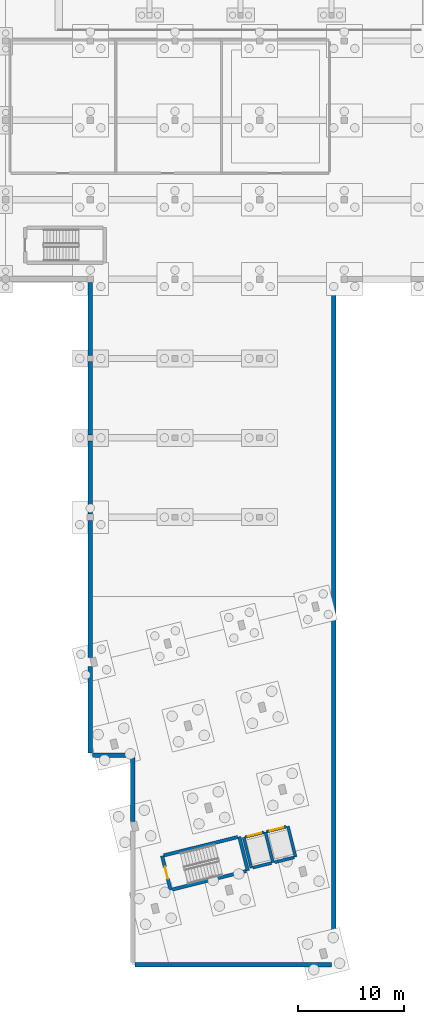
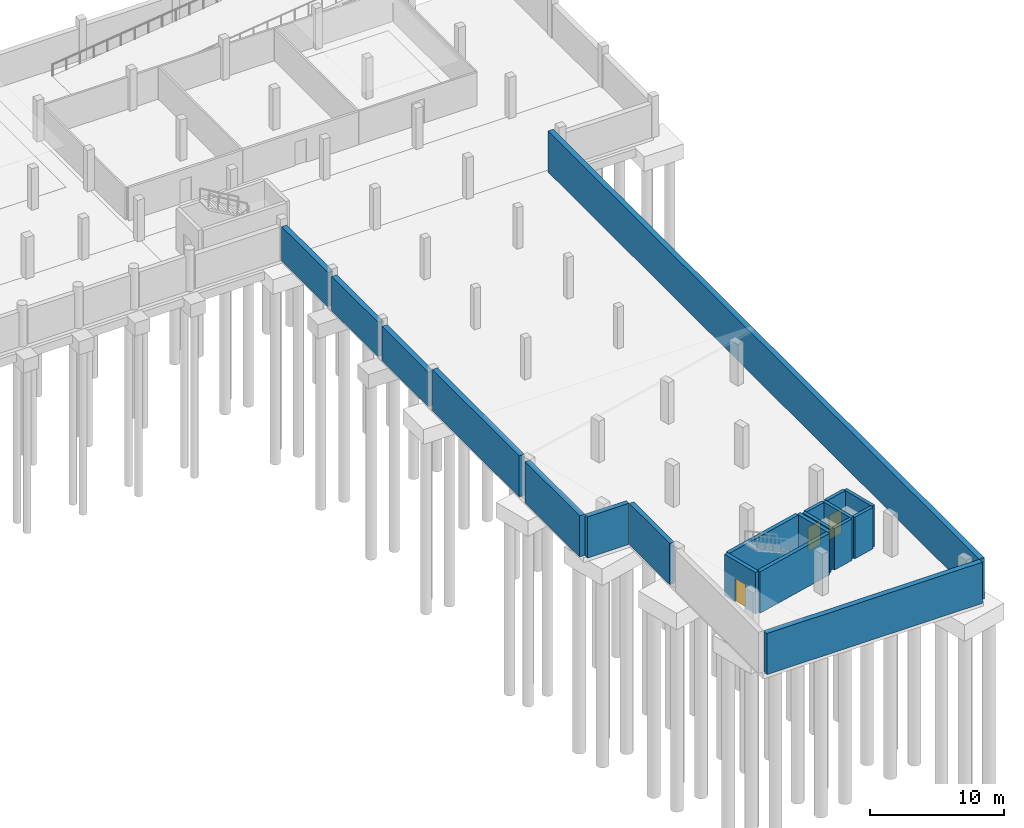
# One storey, part 6 of 17: 20 walls, 3 doors, 3 openings.
"""IFC4 building model written with IfcOpenShell, lengths in metres."""

from ifc_helpers import new_model, si_unit, direction, frame, frame_2d, origin, place, context, subcontext, project, spatial, rectangle, extrude, material, layer, layer_set, type_object, element, fill, save


model = new_model("IFC4")

# Units and contexts
model_context = context("Model", 3, precision=1e-05, world=origin(), true_north=direction((0.0, 1.0)))
body_context = subcontext(model_context, "Body", "Model", "MODEL_VIEW")
ifc_project = project(units=[si_unit("LENGTHUNIT", "METRE"), si_unit("AREAUNIT", "SQUARE_METRE"), si_unit("VOLUMEUNIT", "CUBIC_METRE"), si_unit("PLANEANGLEUNIT", "RADIAN"), si_unit("MASSUNIT", "GRAM", prefix="KILO")], contexts=[model_context])

# Site, building, storey
site_placement = place(None, origin())
site = spatial("IfcSite", under=ifc_project, at=site_placement, CompositionType="ELEMENT")
building_placement = place(site_placement, origin())
building = spatial("IfcBuilding", under=site, at=building_placement, Name="Mawjan Specialist Oncology Clinic", CompositionType="ELEMENT")
storey_placement = place(building_placement, frame((0.0, 0.0, -4.199951171875)))
storey = spatial("IfcBuildingStorey", under=building, at=storey_placement, Name="B01", CompositionType="ELEMENT", Elevation=-4.199951171875)

# Walls
ifc_material_1 = material(Name="Concrete C40/50", Category="concrete")
ifc_layer_1 = layer(ifc_material_1, 0.39990234375, Name="Concrete C40/50", Category="concrete")
ifc_layer_set_1 = layer_set([ifc_layer_1], Name="Concrete C40/50")
wall_type_1 = type_object("IfcWallType", Name="RW-400", PredefinedType="USERDEFINED", material=ifc_layer_set_1)
wall_1_placement = place(storey_placement, frame((120.0, 24.547119140625, 0.0), z_axis=(0.0, 0.0, 1.0), x_axis=(0.0, 1.0, 0.0)))
element("IfcWall", 1, at=wall_1_placement, inside=storey, type_object=wall_type_1, Name="B01 Perimeter Retaining Wall 2", ObjectType="RETAININGWALL", PredefinedType="USERDEFINED", context=body_context, shape_type="SweptSolid", body=[
    extrude(rectangle(XDim=6.032958984375, YDim=0.39990234375, at=frame_2d((3.0166015625, 0.0))), origin(), (0.0, 0.0, 1.0), 3.75),
])
wall_2_placement = place(storey_placement, frame((119.780029296875, 30.800048828125, 0.0), z_axis=(0.0, 0.0, 1.0), x_axis=(-1.0, 0.0, 0.0)))
element("IfcWall", 2, at=wall_2_placement, inside=storey, type_object=wall_type_1, Name="B01 Perimeter Retaining Wall 3", ObjectType="RETAININGWALL", PredefinedType="USERDEFINED", context=body_context, shape_type="SweptSolid", body=[
    extrude(rectangle(XDim=3.56005859375, YDim=0.39990234375, at=frame_2d((1.780029296875, 0.0))), origin(), (0.0, 0.0, 1.0), 3.75),
])
ifc_material_2 = material(Name="Concrete C40/50", Category="concrete")
ifc_layer_2 = layer(ifc_material_2, 0.449951171875, Name="Concrete C40/50", Category="concrete")
ifc_layer_set_2 = layer_set([ifc_layer_2], Name="Concrete C40/50")
wall_type_2 = type_object("IfcWallType", Name="RW-450", PredefinedType="USERDEFINED", material=ifc_layer_set_2)
wall_3_placement = place(storey_placement, frame((116.0, 31.02001953125, 0.0), z_axis=(0.0, 0.0, 1.0), x_axis=(0.0, 1.0, 0.0)))
element("IfcWall", 3, at=wall_3_placement, inside=storey, type_object=wall_type_2, Name="B01 Perimeter Retaining Wall 4", ObjectType="RETAININGWALL", PredefinedType="USERDEFINED", context=body_context, shape_type="SweptSolid", body=[
    extrude(rectangle(XDim=8.15673828125, YDim=0.449951171875, at=frame_2d((4.078369140625, 0.0))), origin(), (0.0, 0.0, 1.0), 3.75),
])
wall_4_placement = place(storey_placement, frame((116.0, 40.046875, 0.0), z_axis=(0.0, 0.0, 1.0), x_axis=(0.0, 1.0, 0.0)))
element("IfcWall", 4, at=wall_4_placement, inside=storey, type_object=wall_type_2, Name="B01 Perimeter Retaining Wall 5", ObjectType="RETAININGWALL", PredefinedType="USERDEFINED", context=body_context, shape_type="SweptSolid", body=[
    extrude(rectangle(XDim=12.943115234375, YDim=0.449951171875, at=frame_2d((6.4716796875, 0.0))), origin(), (0.0, 0.0, 1.0), 3.75),
])
wall_5_placement = place(storey_placement, frame((116.0, 53.610107421875, 0.0), z_axis=(0.0, 0.0, 1.0), x_axis=(0.0, 1.0, 0.0)))
element("IfcWall", 5, at=wall_5_placement, inside=storey, type_object=wall_type_2, Name="B01 Perimeter Retaining Wall 6", ObjectType="RETAININGWALL", PredefinedType="USERDEFINED", context=body_context, shape_type="SweptSolid", body=[
    extrude(rectangle(XDim=6.90478515625, YDim=0.449951171875, at=frame_2d((3.452392578125, 0.0))), origin(), (0.0, 0.0, 1.0), 3.1298828125),
])
wall_6_placement = place(storey_placement, frame((116.0, 61.0849609375, 0.0), z_axis=(0.0, 0.0, 1.0), x_axis=(0.0, 1.0, 0.0)))
element("IfcWall", 6, at=wall_6_placement, inside=storey, type_object=wall_type_2, Name="B01 Perimeter Retaining Wall 7", ObjectType="RETAININGWALL", PredefinedType="USERDEFINED", context=body_context, shape_type="SweptSolid", body=[
    extrude(rectangle(XDim=6.929931640625, YDim=0.449951171875, at=frame_2d((3.46484375, 0.0))), origin(), (0.0, 0.0, 1.0), 3.1298828125),
])
wall_7_placement = place(storey_placement, frame((116.0, 68.5849609375, 0.0), z_axis=(0.0, 0.0, 1.0), x_axis=(0.0, 1.0, 0.0)))
element("IfcWall", 7, at=wall_7_placement, inside=storey, type_object=wall_type_2, Name="B01 Perimeter Retaining Wall 8", ObjectType="RETAININGWALL", PredefinedType="USERDEFINED", context=body_context, shape_type="SweptSolid", body=[
    extrude(rectangle(XDim=6.905029296875, YDim=0.449951171875, at=frame_2d((3.45263671875, 0.0))), origin(), (0.0, 0.0, 1.0), 3.1298828125),
])
wall_8_placement = place(storey_placement, frame((139.0, 75.580078125, 0.0), z_axis=(0.0, 0.0, 1.0), x_axis=(0.0, -1.0, 0.0)))
element("IfcWall", 8, at=wall_8_placement, inside=storey, type_object=wall_type_2, Name="B01 Perimeter Retaining Wall 54", ObjectType="RETAININGWALL", PredefinedType="USERDEFINED", context=body_context, shape_type="SweptSolid", body=[
    extrude(rectangle(XDim=64.360107421875, YDim=0.449951171875, at=frame_2d((32.18017578125, 0.0))), origin(), (0.0, 0.0, 1.0), 3.75),
])
wall_9_placement = place(storey_placement, frame((138.780029296875, 11.0, 0.0), z_axis=(0.0, 0.0, 1.0), x_axis=(-1.0, 0.0, 0.0)))
element("IfcWall", 9, at=wall_9_placement, inside=storey, type_object=wall_type_2, Name="B01 Perimeter Retaining Wall 55", ObjectType="RETAININGWALL", PredefinedType="USERDEFINED", context=body_context, shape_type="SweptSolid", body=[
    extrude(rectangle(XDim=18.56005859375, YDim=0.449951171875, at=frame_2d((9.280029296875, 0.0))), origin(), (0.0, 0.0, 1.0), 3.75),
])
ifc_material_3 = material(Name="Concrete C45/55", Category="concrete")
ifc_layer_3 = layer(ifc_material_3, 0.280029296875, Name="Concrete C45/55", Category="concrete")
ifc_layer_set_3 = layer_set([ifc_layer_3], Name="Concrete C45/55")
wall_type_3 = type_object("IfcWallType", Name="SW-300", PredefinedType="SHEAR", material=ifc_layer_set_3)
wall_10_placement = place(storey_placement, frame((131.36328125, 20.17578125, 0.0), z_axis=(0.0, 0.0, 1.0), x_axis=(0.970284587517, 0.241966566341, 0.0)))
element("IfcWall", 10, at=wall_10_placement, inside=storey, type_object=wall_type_3, Name="B01 LF-01 Hoistway Wall 1", PredefinedType="SHEAR", context=body_context, shape_type="SweptSolid", body=[
    extrude(rectangle(XDim=1.817138671875, YDim=0.280029296875, at=frame_2d((0.90869140625, 0.0))), origin(), (0.0, 0.0, 1.0), 3.780029296875),
])
wall_11_placement = place(storey_placement, frame((133.26708984375, 20.650634765625, 0.0), z_axis=(0.0, 0.0, 1.0), x_axis=(-0.241921647353, 0.970295788171, 0.0)))
element("IfcWall", 11, at=wall_11_placement, inside=storey, type_object=wall_type_3, Name="B01 LF-01 Hoistway Wall 2", PredefinedType="SHEAR", context=body_context, shape_type="SweptSolid", body=[
    extrude(rectangle(XDim=2.994140625, YDim=0.280029296875, at=frame_2d((1.4970703125, 0.0))), origin(), (0.0, 0.0, 1.0), 3.780029296875),
])

# Wall, opening, door
wall_12_placement = place(storey_placement, frame((132.402099609375, 23.52099609375, 0.0), z_axis=(0.0, 0.0, 1.0), x_axis=(-0.970284587517, -0.241966566341, 0.0)))
wall_12 = element("IfcWall", 12, at=wall_12_placement, inside=storey, type_object=wall_type_3, Name="B01 LF-01 Hoistway Wall 3", PredefinedType="SHEAR", context=body_context, shape_type="SweptSolid", body=[
    extrude(rectangle(XDim=1.817138671875, YDim=0.280029296875, at=frame_2d((0.90869140625, 0.0))), origin(), (0.0, 0.0, 1.0), 3.780029296875),
])
opening_1_placement = place(wall_12_placement, frame((0.258544921875, 0.0, 0.0)))
opening_1 = element("IfcOpeningElement", 13, at=opening_1_placement, cuts=wall_12, Name="Opening LD-01-B01", PredefinedType="OPENING", context=body_context, shape_type="SweptSolid", body=[
    extrude(rectangle(XDim=1.300048828125, YDim=2.199951171875, at=frame_2d((0.64990234375, 1.10009765625))), frame((0.0, 0.152099609375, 0.0), z_axis=(0.0, -1.0, 0.0), x_axis=(1.0, 0.0, 0.0)), (0.0, 0.0, 1.0), 0.303955078125),
])
ifc_material_4 = material(Name="Stainless-steel fire-rated hospital door", Category="steel")
door_type_1 = type_object("IfcDoorType", Name="LD-130", OperationType="SLIDING_TO_LEFT", PredefinedType="DOOR", material=ifc_material_4)
door_1_placement = place(opening_1_placement, origin())
door_1 = element("IfcDoor", 14, at=door_1_placement, inside=storey, type_object=door_type_1, Name="B01 LF-01 Sliding Lift Landing Door", OperationType="SLIDING_TO_LEFT", OverallHeight=2.199951171875, OverallWidth=1.300048828125, PredefinedType="DOOR", context=body_context, shape_type="SweptSolid", body=[
    extrude(rectangle(XDim=1.300048828125, YDim=2.199951171875, at=frame_2d((0.64990234375, 1.10009765625))), frame((0.0, 0.02490234375, 0.0), z_axis=(0.0, -1.0, 0.0), x_axis=(1.0, 0.0, 0.0)), (0.0, 0.0, 1.0), 0.050048828125),
])
fill(opening_1, door_1)

# Walls
wall_13_placement = place(storey_placement, frame((130.498291015625, 23.046142578125, 0.0), z_axis=(0.0, 0.0, 1.0), x_axis=(0.241921647353, -0.970295788171, 0.0)))
element("IfcWall", 15, at=wall_13_placement, inside=storey, type_object=wall_type_3, Name="B01 LF-01 Hoistway Wall 4", PredefinedType="SHEAR", context=body_context, shape_type="SweptSolid", body=[
    extrude(rectangle(XDim=2.994140625, YDim=0.280029296875, at=frame_2d((1.4970703125, 0.0))), origin(), (0.0, 0.0, 1.0), 3.780029296875),
])
wall_14_placement = place(storey_placement, frame((133.407958984375, 20.685546875, 0.0), z_axis=(0.0, 0.0, 1.0), x_axis=(0.970285190026, 0.241964150272, 0.0)))
element("IfcWall", 16, at=wall_14_placement, inside=storey, type_object=wall_type_3, Name="B01 LF-02 Hoistway Wall 1", PredefinedType="SHEAR", context=body_context, shape_type="SweptSolid", body=[
    extrude(rectangle(XDim=1.909912109375, YDim=0.280029296875, at=frame_2d((0.955078125, 0.0))), origin(), (0.0, 0.0, 1.0), 3.780029296875),
])
wall_15_placement = place(storey_placement, frame((135.40185546875, 21.182861328125, 0.0), z_axis=(0.0, 0.0, 1.0), x_axis=(-0.241921647353, 0.970295788171, 0.0)))
element("IfcWall", 17, at=wall_15_placement, inside=storey, type_object=wall_type_3, Name="B01 LF-02 Hoistway Wall 2", PredefinedType="SHEAR", context=body_context, shape_type="SweptSolid", body=[
    extrude(rectangle(XDim=2.994140625, YDim=0.280029296875, at=frame_2d((1.4970703125, 0.0))), origin(), (0.0, 0.0, 1.0), 3.780029296875),
])

# Wall, opening, door
wall_16_placement = place(storey_placement, frame((134.53662109375, 24.05322265625, 0.0), z_axis=(0.0, 0.0, 1.0), x_axis=(-0.970285190026, -0.241964150272, 0.0)))
wall_16 = element("IfcWall", 18, at=wall_16_placement, inside=storey, type_object=wall_type_3, Name="B01 LF-02 Hoistway Wall 3", PredefinedType="SHEAR", context=body_context, shape_type="SweptSolid", body=[
    extrude(rectangle(XDim=1.909912109375, YDim=0.280029296875, at=frame_2d((0.955078125, 0.0))), origin(), (0.0, 0.0, 1.0), 3.780029296875),
])
opening_2_placement = place(wall_16_placement, frame((0.304931640625, 0.0, 0.0)))
opening_2 = element("IfcOpeningElement", 19, at=opening_2_placement, cuts=wall_16, Name="Opening LD-02-B01", PredefinedType="OPENING", context=body_context, shape_type="SweptSolid", body=[
    extrude(rectangle(XDim=1.300048828125, YDim=2.199951171875, at=frame_2d((0.64990234375, 1.10009765625))), frame((0.0, 0.152099609375, 0.0), z_axis=(0.0, -1.0, 0.0), x_axis=(1.0, 0.0, 0.0)), (0.0, 0.0, 1.0), 0.303955078125),
])
door_2_placement = place(opening_2_placement, origin())
door_2 = element("IfcDoor", 20, at=door_2_placement, inside=storey, type_object=door_type_1, Name="B01 LF-02 Sliding Lift Landing Door", OperationType="SLIDING_TO_RIGHT", OverallHeight=2.199951171875, OverallWidth=1.300048828125, PredefinedType="DOOR", context=body_context, shape_type="SweptSolid", body=[
    extrude(rectangle(XDim=1.300048828125, YDim=2.199951171875, at=frame_2d((0.64990234375, 1.10009765625))), frame((0.0, 0.02490234375, 0.0), z_axis=(0.0, -1.0, 0.0), x_axis=(1.0, 0.0, 0.0)), (0.0, 0.0, 1.0), 0.050048828125),
])
fill(opening_2, door_2)

# Walls
ifc_material_5 = material(Name="Concrete C45/55", Category="concrete")
ifc_layer_4 = layer(ifc_material_5, 0.320068359375, Name="Concrete C45/55", Category="concrete")
ifc_layer_set_4 = layer_set([ifc_layer_4], Name="Concrete C45/55")
wall_type_4 = type_object("IfcWallType", Name="SW-350", PredefinedType="SHEAR", material=ifc_layer_set_4)
wall_17_placement = place(storey_placement, frame((123.75048828125, 18.10986328125, 0.0), z_axis=(0.0, 0.0, 1.0), x_axis=(0.970294108333, 0.241928384724, 0.0)))
element("IfcWall", 21, at=wall_17_placement, inside=storey, type_object=wall_type_4, Name="B01 Core K5 Stair Shear Wall 1", PredefinedType="SHEAR", context=body_context, shape_type="SweptSolid", body=[
    extrude(rectangle(XDim=7.190185546875, YDim=0.320068359375, at=frame_2d((3.59521484375, 0.0))), origin(), (0.0, 0.0, 1.0), 3.780029296875),
])
wall_18_placement = place(storey_placement, frame((130.886962890625, 19.889404296875, 0.0), z_axis=(0.0, 0.0, 1.0), x_axis=(-0.241947258837, 0.970289402158, 0.0)))
element("IfcWall", 22, at=wall_18_placement, inside=storey, type_object=wall_type_4, Name="B01 Core K5 Stair Shear Wall 2", PredefinedType="SHEAR", context=body_context, shape_type="SweptSolid", body=[
    extrude(rectangle(XDim=3.31982421875, YDim=0.320068359375, at=frame_2d((1.659912109375, 0.0))), origin(), (0.0, 0.0, 1.0), 3.780029296875),
])
wall_19_placement = place(storey_placement, frame((129.923828125, 23.07080078125, 0.0), z_axis=(0.0, 0.0, 1.0), x_axis=(-0.970294108333, -0.241928384724, 0.0)))
element("IfcWall", 23, at=wall_19_placement, inside=storey, type_object=wall_type_4, Name="B01 Core K5 Stair Shear Wall 3", PredefinedType="SHEAR", context=body_context, shape_type="SweptSolid", body=[
    extrude(rectangle(XDim=7.190185546875, YDim=0.320068359375, at=frame_2d((3.59521484375, 0.0))), origin(), (0.0, 0.0, 1.0), 3.780029296875),
])

# Wall, opening, door
wall_20_placement = place(storey_placement, frame((122.787353515625, 21.29150390625, 0.0), z_axis=(0.0, 0.0, 1.0), x_axis=(0.241860763027, -0.970310966293, 0.0)))
wall_20 = element("IfcWall", 24, at=wall_20_placement, inside=storey, type_object=wall_type_4, Name="B01 Core K5 Stair Shear Wall 4", PredefinedType="SHEAR", context=body_context, shape_type="SweptSolid", body=[
    extrude(rectangle(XDim=3.320068359375, YDim=0.320068359375, at=frame_2d((1.66015625, 0.0))), origin(), (0.0, 0.0, 1.0), 3.780029296875),
])
opening_3_placement = place(wall_20_placement, frame((1.0849609375, 0.0, 0.0)))
opening_3 = element("IfcOpeningElement", 25, at=opening_3_placement, cuts=wall_20, Name="Opening FD-90", PredefinedType="OPENING", context=body_context, shape_type="SweptSolid", body=[
    extrude(rectangle(XDim=1.14990234375, YDim=2.14990234375, at=frame_2d((0.574951171875, 1.074951171875))), frame((0.0, 0.172119140625, 0.0), z_axis=(0.0, -1.0, 0.0), x_axis=(1.0, 0.0, 0.0)), (0.0, 0.0, 1.0), 0.343994140625),
])
ifc_material_6 = material(Name="Stainless-steel fire-rated hospital door", Category="steel")
door_type_2 = type_object("IfcDoorType", Name="FD-90", OperationType="NOTDEFINED", PredefinedType="DOOR", material=ifc_material_6)
door_3_placement = place(opening_3_placement, origin())
door_3 = element("IfcDoor", 26, at=door_3_placement, inside=storey, type_object=door_type_2, Name="B01 ST-05 Fire Exit Stair Door", OperationType="SINGLE_SWING_RIGHT", OverallHeight=2.14990234375, OverallWidth=1.14990234375, PredefinedType="DOOR", context=body_context, shape_type="SweptSolid", body=[
    extrude(rectangle(XDim=1.14990234375, YDim=2.14990234375, at=frame_2d((0.574951171875, 1.074951171875))), frame((0.0, 0.02490234375, 0.0), z_axis=(0.0, -1.0, 0.0), x_axis=(1.0, 0.0, 0.0)), (0.0, 0.0, 1.0), 0.050048828125),
])
fill(opening_3, door_3)

save(model, "model.ifc")
